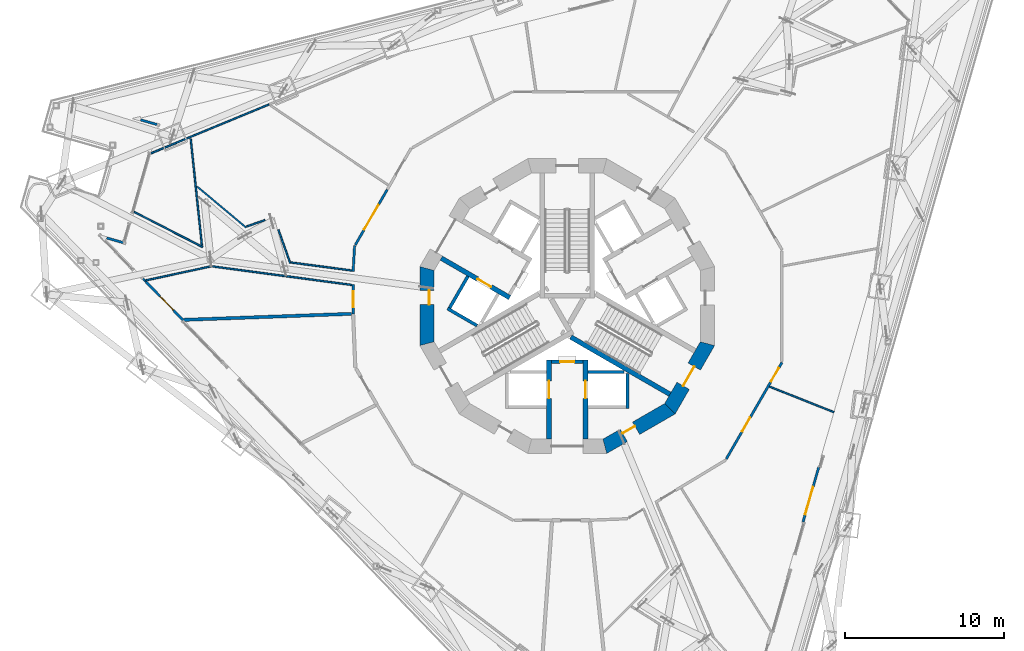
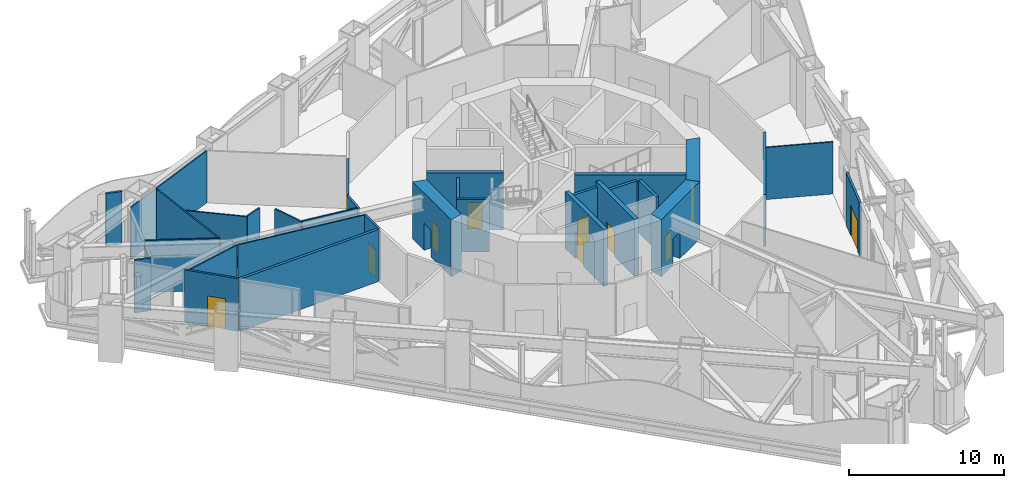
# One storey, part 13 of 26: 31 walls, 13 doors, 13 openings.
"""IFC4 building model written with IfcOpenShell, lengths in metres."""

import ifcopenshell
import ifcopenshell.guid

model = None  # the IFC model being written
_history = None  # IfcOwnerHistory: only IFC2X3 demands one
_inside = {}  # id of a spatial element -> (the spatial element, [elements in it])
_under = {}  # id of a project, library or spatial element -> (it, [spatial elements below it])
_declared = {}  # id of a project -> (the project, [libraries it declares])
_typed = {}  # id of a type object -> (the type object, [elements of that type])
_made_of = {}  # id of a material, layer set ... -> (it, [elements and type objects made of it])


def new_model(schema):
    """Start an empty IFC model of exactly this schema.

    Asked for "IFC4X3", IfcOpenShell would pick the latest addendum, in which some entities
    have other attributes; the version numbers below select the first issue.
    IFC2X3 requires an IfcOwnerHistory on every rooted entity: one is made here for all.
    """
    global model, _history
    if schema == "IFC4X3":
        model = ifcopenshell.file(schema_version=(4, 3, 0, 0))
    else:
        model = ifcopenshell.file(schema=schema)
    _inside.clear()
    _under.clear()
    _declared.clear()
    _typed.clear()
    _made_of.clear()
    _history = None
    if model.schema == "IFC2X3":
        org = make("IfcOrganization", Name="unknown")
        user = make(
            "IfcPersonAndOrganization",
            ThePerson=make("IfcPerson", FamilyName="unknown"),
            TheOrganization=org,
        )
        app = make(
            "IfcApplication",
            ApplicationDeveloper=org,
            Version="unknown",
            ApplicationFullName="unknown",
            ApplicationIdentifier="unknown",
        )
        _history = make(
            "IfcOwnerHistory",
            OwningUser=user,
            OwningApplication=app,
            ChangeAction="ADDED",
            CreationDate=0,
        )
    return model


def make(cls, **values):
    """One entity of the class cls with the attributes given. An attribute that is None is left unset."""
    return model.create_entity(
        cls, **{name: value for name, value in values.items() if value is not None}
    )


def rooted(cls, **values):
    """An entity with a GlobalId (a new one), such as an element, a storey or a relation."""
    return make(cls, GlobalId=ifcopenshell.guid.new(), OwnerHistory=_history, **values)


def si_unit(unit_type, name, prefix=None):
    """IfcSIUnit, for example si_unit("LENGTHUNIT", "METRE", prefix="MILLI")."""
    return make("IfcSIUnit", UnitType=unit_type, Prefix=prefix, Name=name)


def assignment(units):
    """IfcUnitAssignment: the units of a project."""
    return None if units is None else make("IfcUnitAssignment", Units=units)


def point(xyz):
    """IfcCartesianPoint."""
    return None if xyz is None else make("IfcCartesianPoint", Coordinates=xyz)


def direction(xyz):
    """IfcDirection."""
    return None if xyz is None else make("IfcDirection", DirectionRatios=xyz)


def frame(location, z_axis=None, x_axis=None):
    """IfcAxis2Placement3D, a coordinate frame: its origin and axes. An axis left out is left unset."""
    return make(
        "IfcAxis2Placement3D",
        Location=point(location),
        Axis=direction(z_axis),
        RefDirection=direction(x_axis),
    )


def frame_2d(location, x_axis=None):
    """IfcAxis2Placement2D, a coordinate frame in the plane: its origin and x axis."""
    return make(
        "IfcAxis2Placement2D", Location=point(location), RefDirection=direction(x_axis)
    )


def origin():
    """The frame at (0, 0, 0) with its axes left unset."""
    return frame((0.0, 0.0, 0.0))


def place(relative_to, where):
    """IfcLocalPlacement: puts the frame where relative to a parent placement (None: the world)."""
    return make(
        "IfcLocalPlacement", PlacementRelTo=relative_to, RelativePlacement=where
    )


def context(
    kind, dimensions, precision=None, world=None, true_north=None, identifier=None
):
    """IfcGeometricRepresentationContext, for example the 3D "Model" context."""
    return make(
        "IfcGeometricRepresentationContext",
        ContextIdentifier=identifier,
        ContextType=kind,
        CoordinateSpaceDimension=dimensions,
        Precision=precision,
        WorldCoordinateSystem=world,
        TrueNorth=true_north,
    )


def subcontext(parent, identifier, kind, view, scale=None):
    """IfcGeometricRepresentationSubContext, for example "Body" below "Model"."""
    return make(
        "IfcGeometricRepresentationSubContext",
        ContextIdentifier=identifier,
        ContextType=kind,
        ParentContext=parent,
        TargetScale=scale,
        TargetView=view,
    )


def project(units=None, contexts=None):
    """IfcProject with its units and contexts."""
    return rooted(
        "IfcProject",
        Name="project",
        RepresentationContexts=contexts,
        UnitsInContext=assignment(units),
    )


def spatial(cls, under=None, at=None, **own):
    """A site, building, storey or space (cls), placed at a placement, below another one or the project."""
    s = rooted(cls, ObjectPlacement=at, **own)
    if under is not None:
        _under.setdefault(under.id(), (under, []))[1].append(s)
    return s


def polyline(points):
    """IfcPolyline through the points."""
    return make("IfcPolyline", Points=[point(p) for p in points])


def profile(cls, at=None, kind="AREA", **sizes):
    """A parametric profile (cls). Its sizes go by their IFC names, for example OverallWidth=200.0."""
    return make(cls, ProfileType=kind, Position=at, **sizes)


def rectangle(**sizes):
    """IfcRectangleProfileDef."""
    return profile("IfcRectangleProfileDef", **sizes)


def outline(outer, holes=None, kind="AREA"):
    """IfcArbitraryClosedProfileDef: a profile drawn as a closed curve; with holes, ...WithVoids."""
    if holes is None:
        return make("IfcArbitraryClosedProfileDef", ProfileType=kind, OuterCurve=outer)
    return make(
        "IfcArbitraryProfileDefWithVoids",
        ProfileType=kind,
        OuterCurve=outer,
        InnerCurves=holes,
    )


def extrude(swept, where, along, depth):
    """IfcExtrudedAreaSolid: the profile swept, set in the frame where, extruded along a direction by depth."""
    return make(
        "IfcExtrudedAreaSolid",
        SweptArea=swept,
        Position=where,
        ExtrudedDirection=direction(along),
        Depth=depth,
    )


def shape(context_of_items, identifier, shape_type, items):
    """IfcShapeRepresentation: the items that make up one representation, for example the "Body"."""
    return make(
        "IfcShapeRepresentation",
        ContextOfItems=context_of_items,
        RepresentationIdentifier=identifier,
        RepresentationType=shape_type,
        Items=items,
    )


def material(Name=None, Category=None):
    """IfcMaterial."""
    return make("IfcMaterial", Name=Name, Category=Category)


def layer(
    of_material, thickness, ventilated=None, Name=None, Category=None, Priority=None
):
    """IfcMaterialLayer: one layer of a wall or slab, of a material (None: an air gap)."""
    return make(
        "IfcMaterialLayer",
        Material=of_material,
        LayerThickness=thickness,
        IsVentilated=ventilated,
        Name=Name,
        Category=Category,
        Priority=Priority,
    )


def layer_set(layers, Name=None):
    """IfcMaterialLayerSet."""
    return make("IfcMaterialLayerSet", MaterialLayers=layers, LayerSetName=Name)


def made_of(thing, what):
    """Note that an element or type object is made of a material, layer set ...; save() writes the relation."""
    if what is not None:
        _made_of.setdefault(what.id(), (what, []))[1].append(thing)
    return thing


def type_object(cls, material=None, **own):
    """A type object (cls), such as IfcWallType, which elements share."""
    return made_of(rooted(cls, **own), material)


def element(
    cls,
    number,
    at=None,
    inside=None,
    cuts=None,
    type_object=None,
    material=None,
    context=None,
    identifier="Body",
    shape_type=None,
    held_by="IfcProductDefinitionShape",
    body=None,
    shapes=None,
    **own,
):
    """One element of the class cls, such as IfcWall. Its Tag is "e" and its number.

    at: its placement. inside: the storey or other place that contains it. cuts: it is an
    opening in that element (IfcRelVoidsElement). A single representation is given by context,
    identifier, shape_type and body (its items); several are given by shapes. held_by: the class
    of the entity that holds the representations. save() writes the other relations.
    """
    e = rooted(cls, Tag="e%d" % number, ObjectPlacement=at, **own)
    if body is not None:
        shapes = [shape(context, identifier, shape_type, body)]
    if shapes is not None:
        e.Representation = make(held_by, Representations=shapes)
    if inside is not None:
        _inside.setdefault(inside.id(), (inside, []))[1].append(e)
    if cuts is not None:
        rooted(
            "IfcRelVoidsElement", RelatingBuildingElement=cuts, RelatedOpeningElement=e
        )
    if type_object is not None:
        _typed.setdefault(type_object.id(), (type_object, []))[1].append(e)
    return made_of(e, material)


def fill(opening, filler):
    """IfcRelFillsElement: the door or window that sits in an opening."""
    return rooted(
        "IfcRelFillsElement",
        RelatingOpeningElement=opening,
        RelatedBuildingElement=filler,
    )


def aggregate(whole, parts):
    """IfcRelAggregates: a whole, such as a stair, and the parts it consists of."""
    return rooted("IfcRelAggregates", RelatingObject=whole, RelatedObjects=parts)


def save(model, path):
    """Write the relations noted so far, then the file.

    IfcRelAggregates (storeys below a building ...), IfcRelContainedInSpatialStructure (elements
    in a storey), IfcRelDefinesByType, IfcRelAssociatesMaterial and IfcRelDeclares: one each for
    every whole, place, type object, material and project.
    """
    for whole, parts in _under.values():
        aggregate(whole, parts)
    for where, things in _inside.values():
        rooted(
            "IfcRelContainedInSpatialStructure",
            RelatedElements=things,
            RelatingStructure=where,
        )
    for kind, things in _typed.values():
        rooted("IfcRelDefinesByType", RelatedObjects=things, RelatingType=kind)
    for what, things in _made_of.values():
        rooted("IfcRelAssociatesMaterial", RelatedObjects=things, RelatingMaterial=what)
    for by, libraries in _declared.values():
        rooted("IfcRelDeclares", RelatingContext=by, RelatedDefinitions=libraries)
    model.write(path)


model = new_model("IFC4")

# Units and contexts
model_context = context("Model", 3, precision=1e-05, world=origin(), true_north=direction((0.0, 1.0)))
body_context = subcontext(model_context, "Body", "Model", "MODEL_VIEW")
ifc_project = project(units=[si_unit("LENGTHUNIT", "METRE"), si_unit("AREAUNIT", "SQUARE_METRE"), si_unit("VOLUMEUNIT", "CUBIC_METRE"), si_unit("PLANEANGLEUNIT", "RADIAN"), si_unit("MASSUNIT", "GRAM", prefix="KILO")], contexts=[model_context])

# Site, building, storey
site_placement = place(None, origin())
site = spatial("IfcSite", under=ifc_project, at=site_placement, CompositionType="ELEMENT")
building_placement = place(site_placement, origin())
building = spatial("IfcBuilding", under=site, at=building_placement, Name="Trine Commons Tower", CompositionType="ELEMENT")
storey_placement = place(building_placement, frame((0.0, 0.0, 119.699951171875)))
storey = spatial("IfcBuildingStorey", under=building, at=storey_placement, Name="L30", CompositionType="ELEMENT", Elevation=119.699951171875)

# Wall, opening, door
ifc_material_1 = material(Name="Plasterboard on steel stud", Category="steel")
ifc_layer_1 = layer(ifc_material_1, 0.14990234375)
ifc_layer_set_1 = layer_set([ifc_layer_1], Name="Plasterboard on steel stud")
wall_type_1 = type_object("IfcWallType", Name="Compartment wall 150 mm, EI 60", PredefinedType="PARTITIONING", material=ifc_layer_set_1)
wall_1_placement = place(storey_placement, frame((66.527099609375, 62.015869140625, 0.0), z_axis=(0.0, 0.0, 1.0), x_axis=(0.0, 1.0, 0.0)))
wall_1 = element("IfcWall", 1, at=wall_1_placement, inside=storey, type_object=wall_type_1, Name="Partition A30016", PredefinedType="PARTITIONING", context=body_context, shape_type="SweptSolid", body=[
    extrude(rectangle(XDim=1.854248046875, YDim=0.14990234375, at=frame_2d((0.92724609375, 0.0))), origin(), (0.0, 0.0, 1.0), 4.10009765625),
])
opening_1_placement = place(wall_1_placement, frame((0.402099609375, 0.0, 0.0)))
opening_1 = element("IfcOpeningElement", 2, at=opening_1_placement, cuts=wall_1, Name="Opening D-A3002", PredefinedType="OPENING", context=body_context, shape_type="SweptSolid", body=[
    extrude(rectangle(XDim=1.0, YDim=2.10009765625, at=frame_2d((0.5, 1.050048828125))), frame((0.0, 0.0849609375, 0.0), z_axis=(0.0, -1.0, 0.0), x_axis=(1.0, 0.0, 0.0)), (0.0, 0.0, 1.0), 0.169921875),
])
ifc_material_2 = material(Name="Timber fire door set", Category="wood")
door_type_1 = type_object("IfcDoorType", Name="Single swing door 1000x2100, FD30S", OperationType="SINGLE_SWING_LEFT", PredefinedType="DOOR", material=ifc_material_2)
door_1_placement = place(opening_1_placement, origin())
door_1 = element("IfcDoor", 3, at=door_1_placement, inside=storey, type_object=door_type_1, Name="Door D-A3002", OperationType="SINGLE_SWING_LEFT", OverallHeight=2.10009765625, OverallWidth=1.0, PredefinedType="DOOR", context=body_context, shape_type="SweptSolid", body=[
    extrude(rectangle(XDim=1.0, YDim=2.10009765625, at=frame_2d((0.5, 1.050048828125))), frame((0.0, 0.02490234375, 0.0), z_axis=(0.0, -1.0, 0.0), x_axis=(1.0, 0.0, 0.0)), (0.0, 0.0, 1.0), 0.050048828125),
])
fill(opening_1, door_1)

# Wall
wall_2_placement = place(storey_placement, frame((66.527099609375, 64.677490234375, 0.0), z_axis=(0.0, 0.0, 1.0), x_axis=(0.058475284625, 0.998288856538, 0.0)))
element("IfcWall", 4, at=wall_2_placement, inside=storey, type_object=wall_type_1, Name="Partition A30017", PredefinedType="PARTITIONING", context=body_context, shape_type="SweptSolid", body=[
    extrude(rectangle(XDim=1.6240234375, YDim=0.14990234375, at=frame_2d((0.81201171875, 0.0))), origin(), (0.0, 0.0, 1.0), 4.10009765625),
])

# Wall, opening, door
wall_3_placement = place(storey_placement, frame((68.671142578125, 69.823486328125, 0.0), z_axis=(0.0, 0.0, 1.0), x_axis=(-0.500037060225, -0.866004005996, 0.0)))
wall_3 = element("IfcWall", 5, at=wall_3_placement, inside=storey, type_object=wall_type_1, Name="Partition A30018", PredefinedType="PARTITIONING", context=body_context, shape_type="SweptSolid", body=[
    extrude(rectangle(XDim=4.008056640625, YDim=0.14990234375, at=frame_2d((2.00390625, 0.0))), origin(), (0.0, 0.0, 1.0), 4.10009765625),
])
opening_2_placement = place(wall_3_placement, frame((1.10498046875, 0.0, 0.0)))
opening_2 = element("IfcOpeningElement", 6, at=opening_2_placement, cuts=wall_3, Name="Opening D-A3003", PredefinedType="OPENING", context=body_context, shape_type="SweptSolid", body=[
    extrude(rectangle(XDim=1.800048828125, YDim=2.10009765625, at=frame_2d((0.89990234375, 1.050048828125))), frame((0.0, 0.0849609375, 0.0), z_axis=(0.0, -1.0, 0.0), x_axis=(1.0, 0.0, 0.0)), (0.0, 0.0, 1.0), 0.169921875),
])
door_type_2 = type_object("IfcDoorType", Name="Double swing door 1800x2100, FD30S", OperationType="DOUBLE_DOOR_DOUBLE_SWING", PredefinedType="DOOR", material=ifc_material_2)
door_2_placement = place(opening_2_placement, origin())
door_2 = element("IfcDoor", 7, at=door_2_placement, inside=storey, type_object=door_type_2, Name="Door D-A3003", OperationType="DOUBLE_DOOR_DOUBLE_SWING", OverallHeight=2.10009765625, OverallWidth=1.800048828125, PredefinedType="DOOR", context=body_context, shape_type="SweptSolid", body=[
    extrude(rectangle(XDim=1.800048828125, YDim=2.10009765625, at=frame_2d((0.89990234375, 1.050048828125))), frame((0.0, 0.02490234375, 0.0), z_axis=(0.0, -1.0, 0.0), x_axis=(1.0, 0.0, 0.0)), (0.0, 0.0, 1.0), 0.050048828125),
])
fill(opening_2, door_2)

# Wall, openings, doors
wall_4_placement = place(storey_placement, frame((93.510498046875, 58.954833984375, 0.0), z_axis=(0.0, 0.0, 1.0), x_axis=(-0.500031736301, -0.866007080047, 0.0)))
wall_4 = element("IfcWall", 8, at=wall_4_placement, inside=storey, type_object=wall_type_1, Name="Partition A30053", PredefinedType="PARTITIONING", context=body_context, shape_type="SweptSolid", body=[
    extrude(rectangle(XDim=7.01513671875, YDim=0.14990234375, at=frame_2d((3.507568359375, 0.0))), origin(), (0.0, 0.0, 1.0), 4.10009765625),
])
opening_3_placement = place(wall_4_placement, frame((4.007568359375, 0.0, 0.0)))
opening_3 = element("IfcOpeningElement", 9, at=opening_3_placement, cuts=wall_4, Name="Opening D-A3014", PredefinedType="OPENING", context=body_context, shape_type="SweptSolid", body=[
    extrude(rectangle(XDim=1.0, YDim=2.10009765625, at=frame_2d((0.5, 1.050048828125))), frame((0.0, 0.0849609375, 0.0), z_axis=(0.0, -1.0, 0.0), x_axis=(1.0, 0.0, 0.0)), (0.0, 0.0, 1.0), 0.169921875),
])
opening_4_placement = place(wall_4_placement, frame((0.397705078125, 0.0, 0.0)))
opening_4 = element("IfcOpeningElement", 10, at=opening_4_placement, cuts=wall_4, Name="Opening D-A3015", PredefinedType="OPENING", context=body_context, shape_type="SweptSolid", body=[
    extrude(rectangle(XDim=1.0, YDim=2.10009765625, at=frame_2d((0.5, 1.050048828125))), frame((0.0, 0.0849609375, 0.0), z_axis=(0.0, -1.0, 0.0), x_axis=(1.0, 0.0, 0.0)), (0.0, 0.0, 1.0), 0.169921875),
])
door_3_placement = place(opening_3_placement, origin())
door_3 = element("IfcDoor", 11, at=door_3_placement, inside=storey, type_object=door_type_1, Name="Door D-A3014", OperationType="SINGLE_SWING_LEFT", OverallHeight=2.10009765625, OverallWidth=1.0, PredefinedType="DOOR", context=body_context, shape_type="SweptSolid", body=[
    extrude(rectangle(XDim=1.0, YDim=2.10009765625, at=frame_2d((0.5, 1.050048828125))), frame((0.0, 0.02490234375, 0.0), z_axis=(0.0, -1.0, 0.0), x_axis=(1.0, 0.0, 0.0)), (0.0, 0.0, 1.0), 0.050048828125),
])
fill(opening_3, door_3)
door_4_placement = place(opening_4_placement, origin())
door_4 = element("IfcDoor", 12, at=door_4_placement, inside=storey, type_object=door_type_1, Name="Door D-A3015", OperationType="SINGLE_SWING_LEFT", OverallHeight=2.10009765625, OverallWidth=1.0, PredefinedType="DOOR", context=body_context, shape_type="SweptSolid", body=[
    extrude(rectangle(XDim=1.0, YDim=2.10009765625, at=frame_2d((0.5, 1.050048828125))), frame((0.0, 0.02490234375, 0.0), z_axis=(0.0, -1.0, 0.0), x_axis=(1.0, 0.0, 0.0)), (0.0, 0.0, 1.0), 0.050048828125),
])
fill(opening_4, door_4)

# Wall
ifc_layer_2 = layer(ifc_material_1, 0.199951171875)
ifc_layer_set_2 = layer_set([ifc_layer_2], Name="Plasterboard on steel stud")
wall_type_2 = type_object("IfcWallType", Name="Fire wall 200 mm, EI 120", PredefinedType="PARTITIONING", material=ifc_layer_set_2)
wall_5_placement = place(storey_placement, frame((55.857421875, 61.633056640625, 0.0), z_axis=(0.0, 0.0, 1.0), x_axis=(0.999355982156, 0.035883435298, 0.0)))
element("IfcWall", 13, at=wall_5_placement, inside=storey, type_object=wall_type_2, Name="Partition A30004", PredefinedType="PARTITIONING", context=body_context, shape_type="SweptSolid", body=[
    extrude(rectangle(XDim=10.572998046875, YDim=0.199951171875, at=frame_2d((5.28662109375, 0.0))), origin(), (0.0, 0.0, 1.0), 4.10009765625),
])

# Wall, opening, door
ifc_material_3 = material(Name="Aluminium-framed insulated wall panel", Category="aluminium")
ifc_layer_3 = layer(ifc_material_3, 0.14990234375)
ifc_layer_set_3 = layer_set([ifc_layer_3], Name="Aluminium-framed insulated wall panel")
wall_type_3 = type_object("IfcWallType", Name="Glazed entrance wall 150, EI 60", PredefinedType="SOLIDWALL", material=ifc_layer_set_3)
wall_6_placement = place(storey_placement, frame((95.822998046875, 52.36328125, 0.0), z_axis=(0.0, 0.0, 1.0), x_axis=(-0.275709529419, -0.961240997559, 0.0)))
wall_6 = element("IfcWall", 14, at=wall_6_placement, inside=storey, type_object=wall_type_3, Name="Glazed entrance wall L30 F2 9", PredefinedType="SOLIDWALL", context=body_context, shape_type="SweptSolid", body=[
    extrude(rectangle(XDim=3.588134765625, YDim=0.14990234375, at=frame_2d((1.7939453125, 0.0))), origin(), (0.0, 0.0, 1.0), 4.150146484375),
])
opening_5_placement = place(wall_6_placement, frame((1.294189453125, 0.0, 0.0)))
opening_5 = element("IfcOpeningElement", 15, at=opening_5_placement, cuts=wall_6, Name="Opening SD-L30-F2-09", PredefinedType="OPENING", context=body_context, shape_type="SweptSolid", body=[
    extrude(rectangle(XDim=1.800048828125, YDim=2.39990234375, at=frame_2d((0.89990234375, 1.199951171875))), frame((0.0, 0.0849609375, 0.0), z_axis=(0.0, -1.0, 0.0), x_axis=(1.0, 0.0, 0.0)), (0.0, 0.0, 1.0), 0.169921875),
])
ifc_material_4 = material(Name="Anodised aluminium frame with double glazing", Category="aluminium")
door_type_3 = type_object("IfcDoorType", Name="Sliding double door 1800x2400", OperationType="DOUBLE_DOOR_SLIDING", PredefinedType="DOOR", material=ifc_material_4)
door_5_placement = place(opening_5_placement, origin())
door_5 = element("IfcDoor", 16, at=door_5_placement, inside=storey, type_object=door_type_3, Name="Loggia door L30 F2 9", OperationType="DOUBLE_DOOR_SLIDING", OverallHeight=2.39990234375, OverallWidth=1.800048828125, PredefinedType="DOOR", context=body_context, shape_type="SweptSolid", body=[
    extrude(rectangle(XDim=1.800048828125, YDim=2.39990234375, at=frame_2d((0.89990234375, 1.199951171875))), frame((0.0, 0.02490234375, 0.0), z_axis=(0.0, -1.0, 0.0), x_axis=(1.0, 0.0, 0.0)), (0.0, 0.0, 1.0), 0.050048828125),
])
fill(opening_5, door_5)

wall_7_placement = place(storey_placement, frame((55.832275390625, 61.608642578125, 0.0), z_axis=(0.0, 0.0, 1.0), x_axis=(-0.694622047294, 0.71937487544, 0.0)))
wall_7 = element("IfcWall", 17, at=wall_7_placement, inside=storey, type_object=wall_type_3, Name="Glazed entrance wall L30 F3 12", PredefinedType="SOLIDWALL", context=body_context, shape_type="SweptSolid", body=[
    extrude(rectangle(XDim=3.639404296875, YDim=0.14990234375, at=frame_2d((1.81982421875, 0.0))), origin(), (0.0, 0.0, 1.0), 4.150146484375),
])
opening_6_placement = place(wall_7_placement, frame((0.89404296875, 0.0, 0.0)))
opening_6 = element("IfcOpeningElement", 18, at=opening_6_placement, cuts=wall_7, Name="Opening SD-L30-F3-12", PredefinedType="OPENING", context=body_context, shape_type="SweptSolid", body=[
    extrude(rectangle(XDim=1.199951171875, YDim=2.39990234375, at=frame_2d((0.60009765625, 1.199951171875))), frame((0.0, 0.0849609375, 0.0), z_axis=(0.0, -1.0, 0.0), x_axis=(1.0, 0.0, 0.0)), (0.0, 0.0, 1.0), 0.169921875),
])
door_type_4 = type_object("IfcDoorType", Name="Sliding door 1200x2400", OperationType="SLIDING_TO_LEFT", PredefinedType="DOOR", material=ifc_material_4)
door_6_placement = place(opening_6_placement, origin())
door_6 = element("IfcDoor", 19, at=door_6_placement, inside=storey, type_object=door_type_4, Name="Loggia door L30 F3 12", OperationType="SLIDING_TO_LEFT", OverallHeight=2.39990234375, OverallWidth=1.199951171875, PredefinedType="DOOR", context=body_context, shape_type="SweptSolid", body=[
    extrude(rectangle(XDim=1.199951171875, YDim=2.39990234375, at=frame_2d((0.60009765625, 1.199951171875))), frame((0.0, 0.02490234375, 0.0), z_axis=(0.0, -1.0, 0.0), x_axis=(1.0, 0.0, 0.0)), (0.0, 0.0, 1.0), 0.050048828125),
])
fill(opening_6, door_6)

# Walls
ifc_layer_4 = layer(ifc_material_3, 0.14990234375)
ifc_layer_set_4 = layer_set([ifc_layer_4], Name="Aluminium-framed insulated wall panel")
wall_type_4 = type_object("IfcWallType", Name="Glazed frame wall 150, EI 60", PredefinedType="SOLIDWALL", material=ifc_layer_set_4)
wall_8_placement = place(storey_placement, frame((50.88232421875, 66.82861328125, 0.0), z_axis=(0.0, 0.0, 1.0), x_axis=(0.961290718071, -0.275536123495, 0.0)))
element("IfcWall", 20, at=wall_8_placement, inside=storey, type_object=wall_type_4, Name="Glazed frame wall L30 R1", PredefinedType="SOLIDWALL", context=body_context, shape_type="SweptSolid", body=[
    extrude(outline(polyline([(0.1494140625, 0.074951171875), (0.1494140625, -0.074951171875), (1.235107421875, -0.074951171875), (1.235107421875, 0.074951171875), (0.1494140625, 0.074951171875)])), origin(), (0.0, 0.0, 1.0), 4.150146484375),
])
wall_9_placement = place(storey_placement, frame((54.305908203125, 73.888427734375, 0.0), z_axis=(0.0, 0.0, 1.0), x_axis=(-0.961242628544, 0.275703843044, 0.0)))
element("IfcWall", 21, at=wall_9_placement, inside=storey, type_object=wall_type_4, Name="Glazed frame wall L30 R3", PredefinedType="SOLIDWALL", context=body_context, shape_type="SweptSolid", body=[
    extrude(outline(polyline([(0.110107421875, 0.074951171875), (0.110107421875, -0.074951171875), (1.19580078125, -0.074951171875), (1.19580078125, 0.074951171875), (0.110107421875, 0.074951171875)])), origin(), (0.0, 0.0, 1.0), 4.150146484375),
])

# Wall, opening, door
ifc_material_5 = material(Name="Fire-rated gypsum shaft wall system")
ifc_layer_5 = layer(ifc_material_5, 0.199951171875)
ifc_layer_set_5 = layer_set([ifc_layer_5], Name="Fire-rated gypsum shaft wall system")
wall_type_5 = type_object("IfcWallType", Name="Lobby end wall 200 mm, EI 120", PredefinedType="PARTITIONING", material=ifc_layer_set_5)
wall_10_placement = place(storey_placement, frame((79.0, 59.0, 0.0), z_axis=(0.0, 0.0, 1.0), x_axis=(1.0, 0.0, 0.0)))
wall_10 = element("IfcWall", 22, at=wall_10_placement, inside=storey, type_object=wall_type_5, Name="Lobby end wall L30", PredefinedType="PARTITIONING", context=body_context, shape_type="SweptSolid", body=[
    extrude(rectangle(XDim=2.0, YDim=0.199951171875, at=frame_2d((1.0, 0.0))), origin(), (0.0, 0.0, 1.0), 4.150146484375),
])
opening_7_placement = place(wall_10_placement, frame((0.550048828125, 0.0, 0.0)))
opening_7 = element("IfcOpeningElement", 23, at=opening_7_placement, cuts=wall_10, Name="Opening K09.09", PredefinedType="OPENING", context=body_context, shape_type="SweptSolid", body=[
    extrude(rectangle(XDim=0.89990234375, YDim=2.10009765625, at=frame_2d((0.449951171875, 1.050048828125))), frame((0.0, 0.10986328125, 0.0), z_axis=(0.0, -1.0, 0.0), x_axis=(1.0, 0.0, 0.0)), (0.0, 0.0, 1.0), 0.219970703125),
])
ifc_material_6 = material(Name="Steel door leaf, fire-rated", Category="steel")
door_type_5 = type_object("IfcDoorType", Name="Riser access door, single leaf 900 x 2100, FD60", OperationType="SINGLE_SWING_LEFT", PredefinedType="DOOR", material=ifc_material_6)
door_7_placement = place(opening_7_placement, frame((0.89990234375, 0.0, 0.0), z_axis=(0.0, 0.0, 1.0), x_axis=(-1.0, 0.0, 0.0)))
door_7 = element("IfcDoor", 24, at=door_7_placement, inside=storey, type_object=door_type_5, Name="Riser door, Communications riser L30", OperationType="SINGLE_SWING_RIGHT", OverallHeight=2.10009765625, OverallWidth=0.89990234375, PredefinedType="DOOR", context=body_context, shape_type="SweptSolid", body=[
    extrude(rectangle(XDim=0.89990234375, YDim=2.10009765625, at=frame_2d((0.449951171875, 1.050048828125))), frame((0.0, 0.02490234375, 0.0), z_axis=(0.0, -1.0, 0.0), x_axis=(1.0, 0.0, 0.0)), (0.0, 0.0, 1.0), 0.050048828125),
])
fill(opening_7, door_7)

# Walls
ifc_layer_6 = layer(ifc_material_1, 0.10009765625)
ifc_layer_set_6 = layer_set([ifc_layer_6], Name="Plasterboard on steel stud")
wall_type_6 = type_object("IfcWallType", Name="Partition wall 100 mm stud, not rated", PredefinedType="PARTITIONING", material=ifc_layer_set_6)
wall_11_placement = place(storey_placement, frame((52.742431640625, 68.4287109375, 0.0), z_axis=(0.0, 0.0, 1.0), x_axis=(0.889860345491, -0.456233016696, 0.0)))
element("IfcWall", 25, at=wall_11_placement, inside=storey, type_object=wall_type_6, Name="Partition A30001", PredefinedType="PARTITIONING", context=body_context, shape_type="SweptSolid", body=[
    extrude(rectangle(XDim=4.85986328125, YDim=0.10009765625, at=frame_2d((2.429931640625, 0.0))), origin(), (0.0, 0.0, 1.0), 4.10009765625),
])
wall_12_placement = place(storey_placement, frame((53.464599609375, 64.11376953125, 0.0), z_axis=(0.0, 0.0, 1.0), x_axis=(0.977625731924, 0.210351915321, 0.0)))
element("IfcWall", 26, at=wall_12_placement, inside=storey, type_object=wall_type_6, Name="Partition A30002", PredefinedType="PARTITIONING", context=body_context, shape_type="SweptSolid", body=[
    extrude(rectangle(XDim=4.2548828125, YDim=0.10009765625, at=frame_2d((2.12744140625, 0.0))), origin(), (0.0, 0.0, 1.0), 4.10009765625),
])
wall_13_placement = place(storey_placement, frame((53.797119140625, 72.107177734375, 0.0), z_axis=(0.0, 0.0, 1.0), x_axis=(0.92388738492, 0.382664474424, 0.0)))
element("IfcWall", 27, at=wall_13_placement, inside=storey, type_object=wall_type_6, Name="Partition A30003", PredefinedType="PARTITIONING", context=body_context, shape_type="SweptSolid", body=[
    extrude(rectangle(XDim=8.045166015625, YDim=0.10009765625, at=frame_2d((4.0224609375, 0.0))), origin(), (0.0, 0.0, 1.0), 4.10009765625),
])
wall_14_placement = place(storey_placement, frame((56.309326171875, 73.03125, 0.0), z_axis=(0.0, 0.0, 1.0), x_axis=(0.104400141412, -0.994535374169, 0.0)))
element("IfcWall", 28, at=wall_14_placement, inside=storey, type_object=wall_type_6, Name="Partition A30005", PredefinedType="PARTITIONING", context=body_context, shape_type="SweptSolid", body=[
    extrude(rectangle(XDim=6.741943359375, YDim=0.10009765625, at=frame_2d((3.37109375, 0.0))), origin(), (0.0, 0.0, 1.0), 4.10009765625),
])
wall_15_placement = place(storey_placement, frame((56.718017578125, 70.01708984375, 0.0), z_axis=(0.0, 0.0, 1.0), x_axis=(0.76688556517, -0.641783865436, 0.0)))
element("IfcWall", 29, at=wall_15_placement, inside=storey, type_object=wall_type_6, Name="Partition A30006", PredefinedType="PARTITIONING", context=body_context, shape_type="SweptSolid", body=[
    extrude(rectangle(XDim=4.020263671875, YDim=0.10009765625, at=frame_2d((2.01025390625, 0.0))), origin(), (0.0, 0.0, 1.0), 4.10009765625),
])
wall_16_placement = place(storey_placement, frame((57.69287109375, 64.994873046875, 0.0), z_axis=(0.0, 0.0, 1.0), x_axis=(0.991267949985, -0.131863002135, 0.0)))
element("IfcWall", 30, at=wall_16_placement, inside=storey, type_object=wall_type_6, Name="Partition A30007", PredefinedType="PARTITIONING", context=body_context, shape_type="SweptSolid", body=[
    extrude(rectangle(XDim=8.827880859375, YDim=0.10009765625, at=frame_2d((4.4140625, 0.0))), origin(), (0.0, 0.0, 1.0), 4.10009765625),
])
wall_17_placement = place(storey_placement, frame((59.828125, 67.504150390625, 0.0), z_axis=(0.0, 0.0, 1.0), x_axis=(0.942342304433, 0.334650536047, 0.0)))
element("IfcWall", 31, at=wall_17_placement, inside=storey, type_object=wall_type_6, Name="Partition A30008", PredefinedType="PARTITIONING", context=body_context, shape_type="SweptSolid", body=[
    extrude(rectangle(XDim=1.220458984375, YDim=0.10009765625, at=frame_2d((0.6103515625, 0.0))), origin(), (0.0, 0.0, 1.0), 4.10009765625),
])
wall_18_placement = place(storey_placement, frame((61.821044921875, 67.30517578125, 0.0), z_axis=(0.0, 0.0, 1.0), x_axis=(0.335130502044, -0.942171718213, 0.0)))
element("IfcWall", 32, at=wall_18_placement, inside=storey, type_object=wall_type_6, Name="Partition A30011", PredefinedType="PARTITIONING", context=body_context, shape_type="SweptSolid", body=[
    extrude(rectangle(XDim=2.232177734375, YDim=0.10009765625, at=frame_2d((1.1162109375, 0.0))), origin(), (0.0, 0.0, 1.0), 4.10009765625),
])
wall_19_placement = place(storey_placement, frame((62.630126953125, 65.24072265625, 0.0), z_axis=(0.0, 0.0, 1.0), x_axis=(0.991440030998, -0.130562877322, 0.0)))
element("IfcWall", 33, at=wall_19_placement, inside=storey, type_object=wall_type_6, Name="Partition A30012", PredefinedType="PARTITIONING", context=body_context, shape_type="SweptSolid", body=[
    extrude(rectangle(XDim=3.846435546875, YDim=0.10009765625, at=frame_2d((1.92333984375, 0.0))), origin(), (0.0, 0.0, 1.0), 4.10009765625),
])
wall_20_placement = place(storey_placement, frame((92.7275390625, 57.4345703125, 0.0), z_axis=(0.0, 0.0, 1.0), x_axis=(0.929108690571, -0.369806761845, 0.0)))
element("IfcWall", 34, at=wall_20_placement, inside=storey, type_object=wall_type_6, Name="Partition A30058", PredefinedType="PARTITIONING", context=body_context, shape_type="SweptSolid", body=[
    extrude(rectangle(XDim=4.35986328125, YDim=0.10009765625, at=frame_2d((2.179931640625, 0.0))), origin(), (0.0, 0.0, 1.0), 4.10009765625),
])

# Wall, opening, door
ifc_material_7 = material(Name="Concrete C70/85", Category="concrete")
ifc_layer_7 = layer(ifc_material_7, 0.300048828125)
ifc_layer_set_7 = layer_set([ifc_layer_7], Name="Concrete C70/85")
wall_type_7 = type_object("IfcWallType", Name="RC shear wall 300 mm, C70/85", PredefinedType="SHEAR", material=ifc_layer_set_7)
wall_21_placement = place(storey_placement, frame((76.381103515625, 63.031005859375, 0.0), z_axis=(0.0, 0.0, 1.0), x_axis=(-0.866080953719, 0.499903772346, 0.0)))
wall_21 = element("IfcWall", 35, at=wall_21_placement, inside=storey, type_object=wall_type_7, Name="Core cross wall SWB-01 L30", PredefinedType="SHEAR", context=body_context, shape_type="SweptSolid", body=[
    extrude(rectangle(XDim=4.97314453125, YDim=0.300048828125, at=frame_2d((2.486572265625, 0.0))), origin(), (0.0, 0.0, 1.0), 4.5),
])
opening_8_placement = place(wall_21_placement, frame((1.350341796875, 0.0, 0.0)))
opening_8 = element("IfcOpeningElement", 36, at=opening_8_placement, cuts=wall_21, Name="Opening LD7", PredefinedType="OPENING", context=body_context, shape_type="SweptSolid", body=[
    extrude(rectangle(XDim=1.0, YDim=2.10009765625, at=frame_2d((0.5, 1.050048828125))), frame((0.0, 0.159912109375, 0.0), z_axis=(0.0, -1.0, 0.0), x_axis=(1.0, 0.0, 0.0)), (0.0, 0.0, 1.0), 0.320068359375),
])
ifc_material_8 = material(Name="Stainless steel sliding door leaves", Category="steel")
door_type_6 = type_object("IfcDoorType", Name="Lift landing door, centre-opening sliding 1000 x 2100, FD90", OperationType="DOUBLE_DOOR_SLIDING", PredefinedType="DOOR", material=ifc_material_8)
door_8_placement = place(opening_8_placement, origin())
door_8 = element("IfcDoor", 37, at=door_8_placement, inside=storey, type_object=door_type_6, Name="Lift landing door HR3 L30", OperationType="DOUBLE_DOOR_SLIDING", OverallHeight=2.10009765625, OverallWidth=1.0, PredefinedType="DOOR", context=body_context, shape_type="SweptSolid", body=[
    extrude(rectangle(XDim=1.0, YDim=2.10009765625, at=frame_2d((0.5, 1.050048828125))), frame((0.0, 0.02490234375, 0.0), z_axis=(0.0, -1.0, 0.0), x_axis=(1.0, 0.0, 0.0)), (0.0, 0.0, 1.0), 0.050048828125),
])
fill(opening_8, door_8)

wall_22_placement = place(storey_placement, frame((78.85009765625, 59.10009765625, 0.0), z_axis=(0.0, 0.0, 1.0), x_axis=(0.0, -1.0, 0.0)))
wall_22 = element("IfcWall", 38, at=wall_22_placement, inside=storey, type_object=wall_type_7, Name="Core cross wall SWB-03 L30", PredefinedType="SHEAR", context=body_context, shape_type="SweptSolid", body=[
    extrude(rectangle(XDim=4.97314453125, YDim=0.300048828125, at=frame_2d((2.486572265625, 0.0))), origin(), (0.0, 0.0, 1.0), 4.5),
])
opening_9_placement = place(wall_22_placement, frame((1.300048828125, 0.0, 0.0)))
opening_9 = element("IfcOpeningElement", 39, at=opening_9_placement, cuts=wall_22, Name="Opening LD10", PredefinedType="OPENING", context=body_context, shape_type="SweptSolid", body=[
    extrude(rectangle(XDim=1.10009765625, YDim=2.10009765625, at=frame_2d((0.550048828125, 1.050048828125))), frame((0.0, 0.159912109375, 0.0), z_axis=(0.0, -1.0, 0.0), x_axis=(1.0, 0.0, 0.0)), (0.0, 0.0, 1.0), 0.320068359375),
])
door_type_7 = type_object("IfcDoorType", Name="Lift landing door, centre-opening sliding 1100 x 2100, FD90", OperationType="DOUBLE_DOOR_SLIDING", PredefinedType="DOOR", material=ifc_material_8)
door_9_placement = place(opening_9_placement, origin())
door_9 = element("IfcDoor", 40, at=door_9_placement, inside=storey, type_object=door_type_7, Name="Lift landing door FF2 L30", OperationType="DOUBLE_DOOR_SLIDING", OverallHeight=2.10009765625, OverallWidth=1.10009765625, PredefinedType="DOOR", context=body_context, shape_type="SweptSolid", body=[
    extrude(rectangle(XDim=1.10009765625, YDim=2.10009765625, at=frame_2d((0.550048828125, 1.050048828125))), frame((0.0, 0.02490234375, 0.0), z_axis=(0.0, -1.0, 0.0), x_axis=(1.0, 0.0, 0.0)), (0.0, 0.0, 1.0), 0.050048828125),
])
fill(opening_9, door_9)

wall_23_placement = place(storey_placement, frame((81.14990234375, 59.10009765625, 0.0), z_axis=(0.0, 0.0, 1.0), x_axis=(0.0, -1.0, 0.0)))
wall_23 = element("IfcWall", 41, at=wall_23_placement, inside=storey, type_object=wall_type_7, Name="Core cross wall SWB-04 L30", PredefinedType="SHEAR", context=body_context, shape_type="SweptSolid", body=[
    extrude(rectangle(XDim=4.97314453125, YDim=0.300048828125, at=frame_2d((2.486572265625, 0.0))), origin(), (0.0, 0.0, 1.0), 4.5),
])
opening_10_placement = place(wall_23_placement, frame((1.300048828125, 0.0, 0.0)))
opening_10 = element("IfcOpeningElement", 42, at=opening_10_placement, cuts=wall_23, Name="Opening LD9", PredefinedType="OPENING", context=body_context, shape_type="SweptSolid", body=[
    extrude(rectangle(XDim=1.10009765625, YDim=2.10009765625, at=frame_2d((0.550048828125, 1.050048828125))), frame((0.0, 0.159912109375, 0.0), z_axis=(0.0, -1.0, 0.0), x_axis=(1.0, 0.0, 0.0)), (0.0, 0.0, 1.0), 0.320068359375),
])
door_10_placement = place(opening_10_placement, origin())
door_10 = element("IfcDoor", 43, at=door_10_placement, inside=storey, type_object=door_type_7, Name="Lift landing door FF1 L30", OperationType="DOUBLE_DOOR_SLIDING", OverallHeight=2.10009765625, OverallWidth=1.10009765625, PredefinedType="DOOR", context=body_context, shape_type="SweptSolid", body=[
    extrude(rectangle(XDim=1.10009765625, YDim=2.10009765625, at=frame_2d((0.550048828125, 1.050048828125))), frame((0.0, 0.02490234375, 0.0), z_axis=(0.0, -1.0, 0.0), x_axis=(1.0, 0.0, 0.0)), (0.0, 0.0, 1.0), 0.050048828125),
])
fill(opening_10, door_10)

# Wall
wall_24_placement = place(storey_placement, frame((80.22509765625, 60.552001953125, 0.0), z_axis=(0.0, 0.0, 1.0), x_axis=(0.866028135082, -0.499995269223, 0.0)))
element("IfcWall", 44, at=wall_24_placement, inside=storey, type_object=wall_type_7, Name="Core cross wall SWB-13 L30", PredefinedType="SHEAR", context=body_context, shape_type="SweptSolid", body=[
    extrude(rectangle(XDim=7.2041015625, YDim=0.300048828125, at=frame_2d((3.60205078125, 0.0))), origin(), (0.0, 0.0, 1.0), 4.5),
])

# Wall, opening, door
ifc_layer_8 = layer(ifc_material_7, 0.89990234375)
ifc_layer_set_8 = layer_set([ifc_layer_8], Name="Concrete C70/85")
wall_type_8 = type_object("IfcWallType", Name="RC shear wall 900 mm, C70/85", PredefinedType="SHEAR", material=ifc_layer_set_8)
wall_25_placement = place(storey_placement, frame((71.177001953125, 64.984619140625, 0.0), z_axis=(0.0, 0.0, 1.0), x_axis=(0.0, -1.0, 0.0)))
wall_25 = element("IfcWall", 45, at=wall_25_placement, inside=storey, type_object=wall_type_8, Name="Core wall CWD-07 L30", PredefinedType="SHEAR", context=body_context, shape_type="SweptSolid", body=[
    extrude(outline(polyline([(0.0, -0.449951171875), (4.969482421875, -0.449951171875), (4.728271484375, 0.449951171875), (0.2412109375, 0.449951171875), (0.0, -0.449951171875)])), origin(), (0.0, 0.0, 1.0), 4.5),
])
opening_11_placement = place(wall_25_placement, frame((1.49365234375, 0.0, 0.0)))
opening_11 = element("IfcOpeningElement", 46, at=opening_11_placement, cuts=wall_25, Name="Opening K09.13", PredefinedType="OPENING", context=body_context, shape_type="SweptSolid", body=[
    extrude(rectangle(XDim=0.89990234375, YDim=2.10009765625, at=frame_2d((0.449951171875, 1.050048828125))), frame((0.0, 0.4599609375, 0.0), z_axis=(0.0, -1.0, 0.0), x_axis=(1.0, 0.0, 0.0)), (0.0, 0.0, 1.0), 0.919921875),
])
door_type_8 = type_object("IfcDoorType", Name="Core room door, single leaf 900 x 2100, FD30S", OperationType="SINGLE_SWING_LEFT", PredefinedType="DOOR", material=ifc_material_6)
door_11_placement = place(opening_11_placement, origin())
door_11 = element("IfcDoor", 47, at=door_11_placement, inside=storey, type_object=door_type_8, Name="Door to Parcel store L30", OperationType="SINGLE_SWING_LEFT", OverallHeight=2.10009765625, OverallWidth=0.89990234375, PredefinedType="DOOR", context=body_context, shape_type="SweptSolid", body=[
    extrude(rectangle(XDim=0.89990234375, YDim=2.10009765625, at=frame_2d((0.449951171875, 1.050048828125))), frame((0.0, 0.1748046875, 0.0), z_axis=(0.0, -1.0, 0.0), x_axis=(1.0, 0.0, 0.0)), (0.0, 0.0, 1.0), 0.050048828125),
])
fill(opening_11, door_11)

wall_26_placement = place(storey_placement, frame((82.259765625, 53.61669921875, 0.0), z_axis=(0.0, 0.0, 1.0), x_axis=(0.866003133579, 0.500038571144, 0.0)))
wall_26 = element("IfcWall", 48, at=wall_26_placement, inside=storey, type_object=wall_type_8, Name="Core wall CWD-11 L30", PredefinedType="SHEAR", context=body_context, shape_type="SweptSolid", body=[
    extrude(outline(polyline([(0.0, -0.449951171875), (4.96923828125, -0.449951171875), (4.72802734375, 0.449951171875), (0.2412109375, 0.449951171875), (0.0, -0.449951171875)])), origin(), (0.0, 0.0, 1.0), 4.5),
])
opening_12_placement = place(wall_26_placement, frame((1.4951171875, 0.0, 0.0)))
opening_12 = element("IfcOpeningElement", 49, at=opening_12_placement, cuts=wall_26, Name="Opening K09.15", PredefinedType="OPENING", context=body_context, shape_type="SweptSolid", body=[
    extrude(rectangle(XDim=0.89990234375, YDim=2.10009765625, at=frame_2d((0.449951171875, 1.050048828125))), frame((0.0, 0.4599609375, 0.0), z_axis=(0.0, -1.0, 0.0), x_axis=(1.0, 0.0, 0.0)), (0.0, 0.0, 1.0), 0.919921875),
])
door_12_placement = place(opening_12_placement, origin())
door_12 = element("IfcDoor", 50, at=door_12_placement, inside=storey, type_object=door_type_8, Name="Door to Accessible WC L30", OperationType="SINGLE_SWING_LEFT", OverallHeight=2.10009765625, OverallWidth=0.89990234375, PredefinedType="DOOR", context=body_context, shape_type="SweptSolid", body=[
    extrude(rectangle(XDim=0.89990234375, YDim=2.10009765625, at=frame_2d((0.449951171875, 1.050048828125))), frame((0.0, 0.1748046875, 0.0), z_axis=(0.0, -1.0, 0.0), x_axis=(1.0, 0.0, 0.0)), (0.0, 0.0, 1.0), 0.050048828125),
])
fill(opening_12, door_12)

wall_27_placement = place(storey_placement, frame((86.3984375, 55.936767578125, 0.0), z_axis=(0.0, 0.0, 1.0), x_axis=(0.500038571144, 0.866003133579, 0.0)))
wall_27 = element("IfcWall", 51, at=wall_27_placement, inside=storey, type_object=wall_type_8, Name="Core wall CWD-12 L30", PredefinedType="SHEAR", context=body_context, shape_type="SweptSolid", body=[
    extrude(outline(polyline([(0.0, -0.449951171875), (4.96923828125, -0.449951171875), (4.72802734375, 0.449951171875), (0.2412109375, 0.449951171875), (0.0, -0.449951171875)])), origin(), (0.0, 0.0, 1.0), 4.5),
])
opening_13_placement = place(wall_27_placement, frame((1.78466796875, 0.0, 0.0)))
opening_13 = element("IfcOpeningElement", 52, at=opening_13_placement, cuts=wall_27, Name="Opening K09.03", PredefinedType="OPENING", context=body_context, shape_type="SweptSolid", body=[
    extrude(rectangle(XDim=1.39990234375, YDim=2.10009765625, at=frame_2d((0.699951171875, 1.050048828125))), frame((0.0, 0.4599609375, 0.0), z_axis=(0.0, -1.0, 0.0), x_axis=(1.0, 0.0, 0.0)), (0.0, 0.0, 1.0), 0.919921875),
])
ifc_material_9 = material(Name="Steel door leaves, fire-rated", Category="steel")
door_type_9 = type_object("IfcDoorType", Name="Stair door, double leaf 1400 x 2100, FD90", OperationType="DOUBLE_DOOR_SINGLE_SWING", PredefinedType="DOOR", material=ifc_material_9)
door_13_placement = place(opening_13_placement, origin())
door_13 = element("IfcDoor", 53, at=door_13_placement, inside=storey, type_object=door_type_9, Name="Stair door to Exit stair ST3B L30", OperationType="DOUBLE_DOOR_SINGLE_SWING", OverallHeight=2.10009765625, OverallWidth=1.39990234375, PredefinedType="DOOR", context=body_context, shape_type="SweptSolid", body=[
    extrude(rectangle(XDim=1.39990234375, YDim=2.10009765625, at=frame_2d((0.699951171875, 1.050048828125))), frame((0.0, 0.02490234375, 0.0), z_axis=(0.0, -1.0, 0.0), x_axis=(1.0, 0.0, 0.0)), (0.0, 0.0, 1.0), 0.050048828125),
])
fill(opening_13, door_13)

# Walls
ifc_layer_9 = layer(ifc_material_5, 0.199951171875)
ifc_layer_set_9 = layer_set([ifc_layer_9], Name="Fire-rated gypsum shaft wall system")
wall_type_9 = type_object("IfcWallType", Name="Shaft wall 200 mm, EI 120", PredefinedType="PARTITIONING", material=ifc_layer_set_9)
wall_28_placement = place(storey_placement, frame((73.7509765625, 64.3759765625, 0.0), z_axis=(0.0, 0.0, 1.0), x_axis=(-0.500136062276, -0.86594683394, 0.0)))
element("IfcWall", 54, at=wall_28_placement, inside=storey, type_object=wall_type_9, Name="Shaft wall L30", PredefinedType="PARTITIONING", context=body_context, shape_type="SweptSolid", body=[
    extrude(rectangle(XDim=2.299072265625, YDim=0.199951171875, at=frame_2d((1.1494140625, 0.0))), origin(), (0.0, 0.0, 1.0), 4.150146484375),
])
wall_29_placement = place(storey_placement, frame((74.324951171875, 61.27392578125, 0.0), z_axis=(0.0, 0.0, 1.0), x_axis=(-0.866102336459, 0.499866725018, 0.0)))
element("IfcWall", 55, at=wall_29_placement, inside=storey, type_object=wall_type_9, Name="Shaft wall L30", PredefinedType="PARTITIONING", context=body_context, shape_type="SweptSolid", body=[
    extrude(rectangle(XDim=2.1484375, YDim=0.199951171875, at=frame_2d((1.07421875, 0.0))), origin(), (0.0, 0.0, 1.0), 4.150146484375),
])
wall_30_placement = place(storey_placement, frame((81.300048828125, 58.35009765625, 0.0), z_axis=(0.0, 0.0, 1.0), x_axis=(1.0, 0.0, 0.0)))
element("IfcWall", 56, at=wall_30_placement, inside=storey, type_object=wall_type_9, Name="Shaft wall L30", PredefinedType="PARTITIONING", context=body_context, shape_type="SweptSolid", body=[
    extrude(rectangle(XDim=2.264892578125, YDim=0.199951171875, at=frame_2d((1.13232421875, 0.0))), origin(), (0.0, 0.0, 1.0), 4.150146484375),
])
wall_31_placement = place(storey_placement, frame((83.800048828125, 58.257080078125, 0.0), z_axis=(0.0, 0.0, 1.0), x_axis=(0.0, -1.0, 0.0)))
element("IfcWall", 57, at=wall_31_placement, inside=storey, type_object=wall_type_9, Name="Shaft wall L30", PredefinedType="PARTITIONING", context=body_context, shape_type="SweptSolid", body=[
    extrude(rectangle(XDim=2.20703125, YDim=0.199951171875, at=frame_2d((1.103515625, 0.0))), origin(), (0.0, 0.0, 1.0), 4.150146484375),
])

save(model, "model.ifc")
